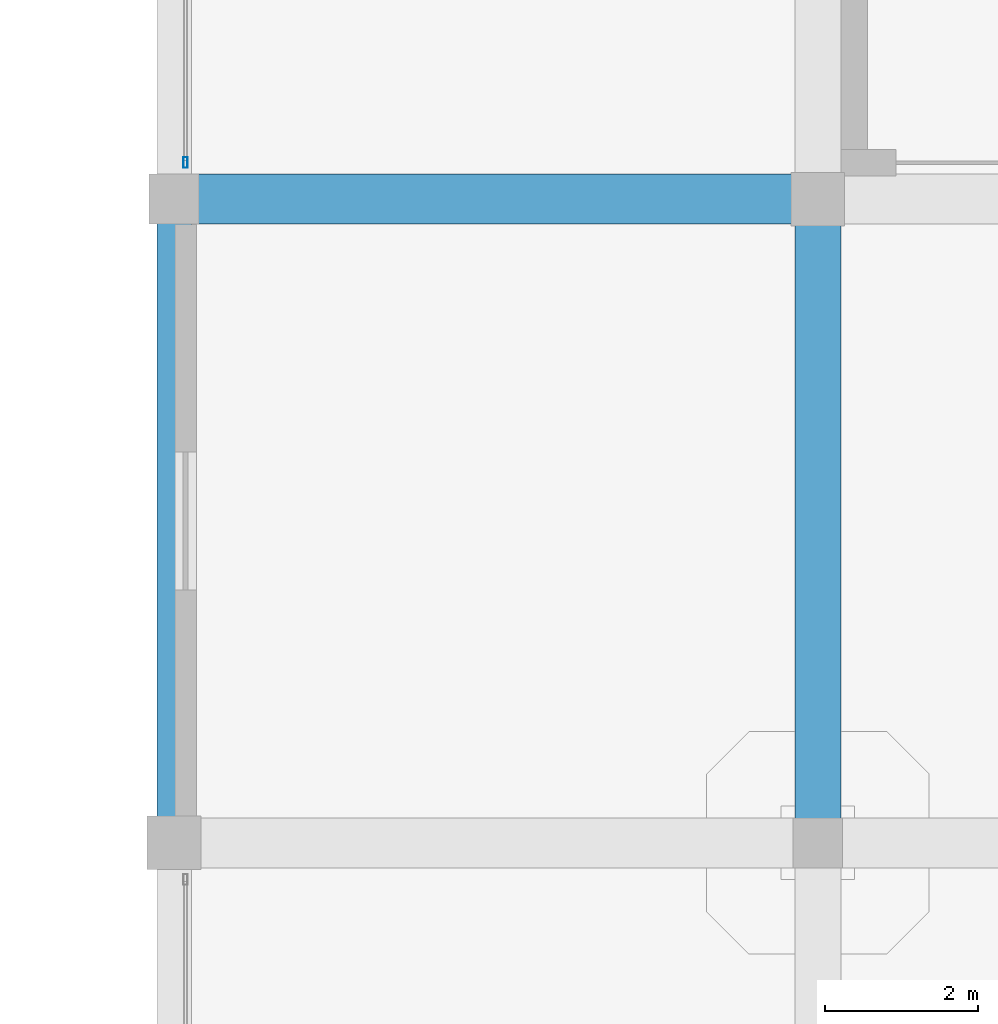
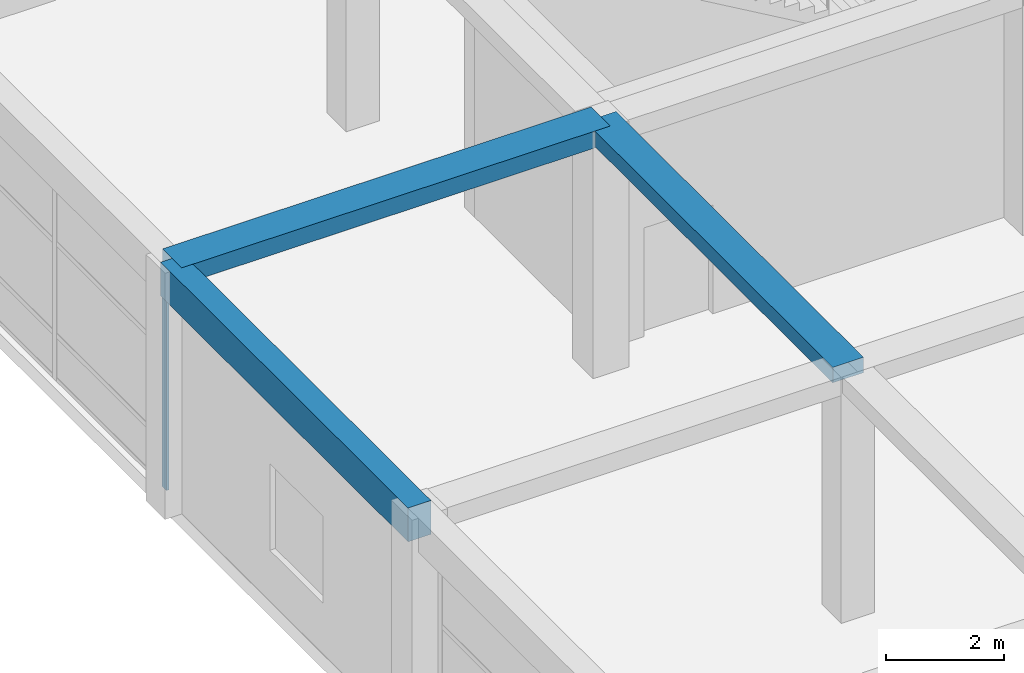
# One storey, part 9 of 65: 3 beams, 1 member, 1 element without a shape of its own.
"""IFC4 building model written with IfcOpenShell, lengths in metres."""

from ifc_helpers import new_model, si_unit, direction, frame, origin, origin_2d, place, context, subcontext, project, spatial, rectangle, hollow_rectangle, extrude, material, material_profile, profile_set, type_object, element, aggregate, save


model = new_model("IFC4")

# Units and contexts
model_context = context("Model", 3, precision=1e-05, world=origin(), true_north=direction((0.0, 1.0)))
body_context = subcontext(model_context, "Body", "Model", "MODEL_VIEW")
ifc_project = project(units=[si_unit("LENGTHUNIT", "METRE"), si_unit("AREAUNIT", "SQUARE_METRE"), si_unit("VOLUMEUNIT", "CUBIC_METRE"), si_unit("PLANEANGLEUNIT", "RADIAN"), si_unit("MASSUNIT", "GRAM", prefix="KILO")], contexts=[model_context])

# Site, building, storey
site_placement = place(None, origin())
site = spatial("IfcSite", under=ifc_project, at=site_placement, CompositionType="ELEMENT")
building_placement = place(site_placement, origin())
building = spatial("IfcBuilding", under=site, at=building_placement, Name="Almacenes y Pasaje Nevantli", CompositionType="ELEMENT")
storey_placement = place(building_placement, frame((0.0, 0.0, 16.800048828125)))
storey = spatial("IfcBuildingStorey", under=building, at=storey_placement, Name="L04", CompositionType="ELEMENT", Elevation=16.800048828125)

# Beams
ifc_material_1 = material(Name="Concrete C35/45", Category="concrete")
ifc_material_profile_1 = material_profile(ifc_material_1, rectangle(XDim=0.449951171875, YDim=0.699951171875, at=origin_2d()), Name="RC-BM-450x700")
ifc_profile_set_1 = profile_set([ifc_material_profile_1], Name="Concrete C35/45")
beam_type_1 = type_object("IfcBeamType", Name="BM-RC-450x700", PredefinedType="SPANDREL", material=ifc_profile_set_1)
beam_1_placement = place(storey_placement, frame((0.0, 50.39990234375, 4.75), z_axis=(0.0, 1.0, 0.0), x_axis=(-1.0, 0.0, 0.0)))
element("IfcBeam", 1, at=beam_1_placement, inside=storey, type_object=beam_type_1, Name="L04 North-South Reinforced Concrete Beam #2996", PredefinedType="SPANDREL", context=body_context, shape_type="SweptSolid", body=[
    extrude(rectangle(XDim=0.449951171875, YDim=0.699951171875, at=origin_2d()), origin(), (0.0, 0.0, 1.0), 8.400146484375),
])
ifc_material_2 = material(Name="Concrete C35/45", Category="concrete")
ifc_material_profile_2 = material_profile(ifc_material_2, rectangle(XDim=0.60009765625, YDim=0.320068359375, at=origin_2d()), Name="RC-BM-600x320")
ifc_profile_set_2 = profile_set([ifc_material_profile_2], Name="Concrete C35/45")
beam_type_2 = type_object("IfcBeamType", Name="BM-RC-600x320", PredefinedType="BEAM", material=ifc_profile_set_2)
beam_2_placement = place(storey_placement, frame((8.39990234375, 50.39990234375, 4.93994140625), z_axis=(0.0, 1.0, 0.0), x_axis=(-1.0, 0.0, 0.0)))
element("IfcBeam", 2, at=beam_2_placement, inside=storey, type_object=beam_type_2, Name="L04 North-South Reinforced Concrete Beam #3007", PredefinedType="BEAM", context=body_context, shape_type="SweptSolid", body=[
    extrude(rectangle(XDim=0.60009765625, YDim=0.320068359375, at=origin_2d()), origin(), (0.0, 0.0, 1.0), 8.400146484375),
])
ifc_material_3 = material(Name="Concrete C35/45", Category="concrete")
ifc_material_profile_3 = material_profile(ifc_material_3, rectangle(XDim=0.64990234375, YDim=0.35009765625, at=origin_2d()), Name="RC-BM-650x350")
ifc_profile_set_3 = profile_set([ifc_material_profile_3], Name="Concrete C35/45")
beam_type_3 = type_object("IfcBeamType", Name="BM-RC-650x350", PredefinedType="BEAM", material=ifc_profile_set_3)
beam_3_placement = place(storey_placement, frame((0.0, 58.800048828125, 4.925048828125), z_axis=(1.0, 0.0, 0.0), x_axis=(0.0, 1.0, 0.0)))
element("IfcBeam", 3, at=beam_3_placement, inside=storey, type_object=beam_type_3, Name="L04 East-West Reinforced Concrete Beam #2860", PredefinedType="BEAM", context=body_context, shape_type="SweptSolid", body=[
    extrude(rectangle(XDim=0.64990234375, YDim=0.35009765625, at=origin_2d()), origin(), (0.0, 0.0, 1.0), 8.39990234375),
])

# Curtain wall, member
ifc_material_4 = material(Name="Thermally Broken Aluminium and Low-E Glass", Category="aluminium")
curtain_wall_type = type_object("IfcCurtainWallType", Name="CW-UNIT-PODIUM", PredefinedType="USERDEFINED", material=ifc_material_4)
curtain_wall_placement = place(storey_placement, origin())
curtain_wall = element("IfcCurtainWall", 4, at=curtain_wall_placement, inside=storey, type_object=curtain_wall_type, Name="L04 West Avenue Unitized Curtain Wall Bay 8", ObjectType="UNITIZED CURTAIN WALL", PredefinedType="USERDEFINED")
ifc_material_5 = material(Name="Thermally Broken Anodized Aluminium", Category="aluminium")
ifc_material_profile_4 = material_profile(ifc_material_5, hollow_rectangle(XDim=0.054931640625, YDim=0.139892578125, WallThickness=0.00341796875, at=origin_2d()), Name="ALU-MUL-55x140")
ifc_profile_set_4 = profile_set([ifc_material_profile_4], Name="Thermally Broken Anodized Aluminium")
member_type = type_object("IfcMemberType", Name="CW-MUL-160", PredefinedType="MULLION", material=ifc_profile_set_4)
member_placement = place(storey_placement, frame((0.14990234375, 59.277587890625, 0.0), z_axis=(0.0, 0.0, 1.0), x_axis=(-1.0, 0.0, 0.0)))
member = element("IfcMember", 5, at=member_placement, type_object=member_type, Name="CW-L04-075 mullion 1", PredefinedType="MULLION", context=body_context, shape_type="SweptSolid", body=[
    extrude(hollow_rectangle(XDim=0.054931640625, YDim=0.139892578125, WallThickness=0.00341796875, at=origin_2d()), origin(), (0.0, 0.0, 1.0), 4.3798828125),
])
aggregate(curtain_wall, [member])

save(model, "model.ifc")
